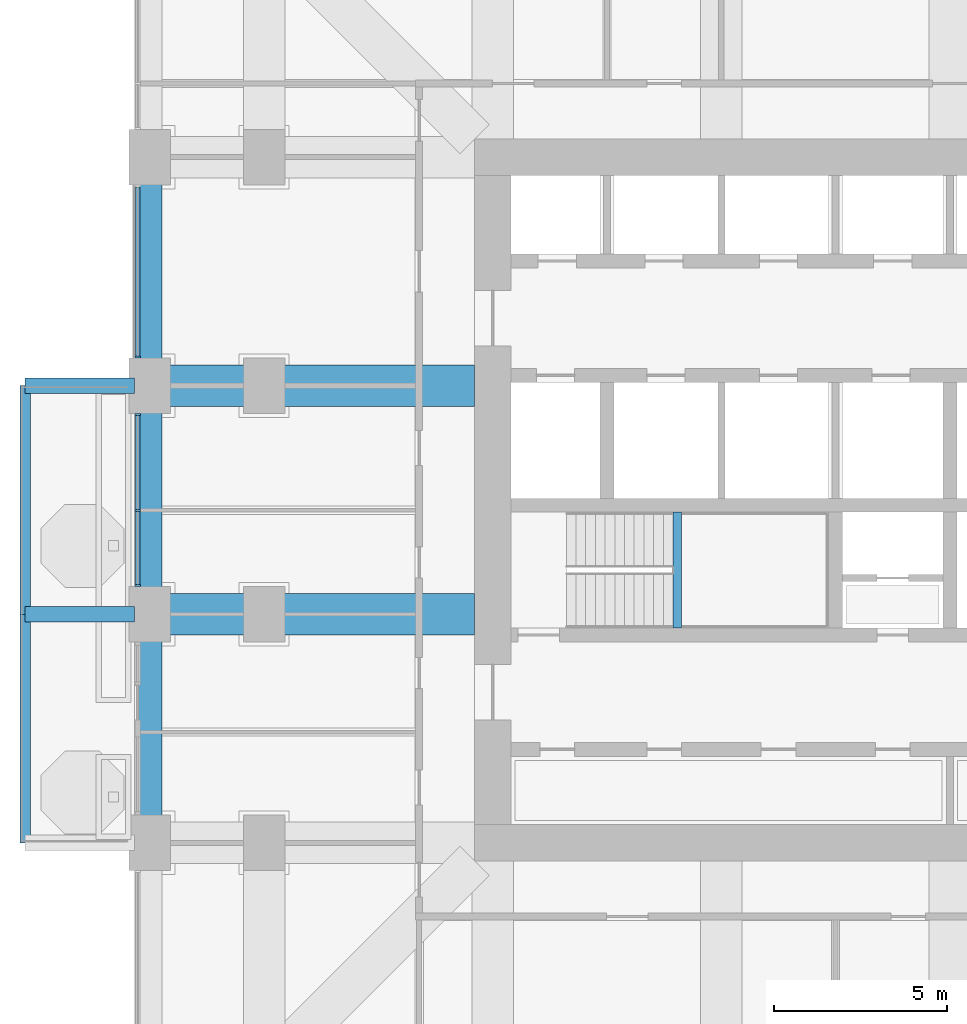
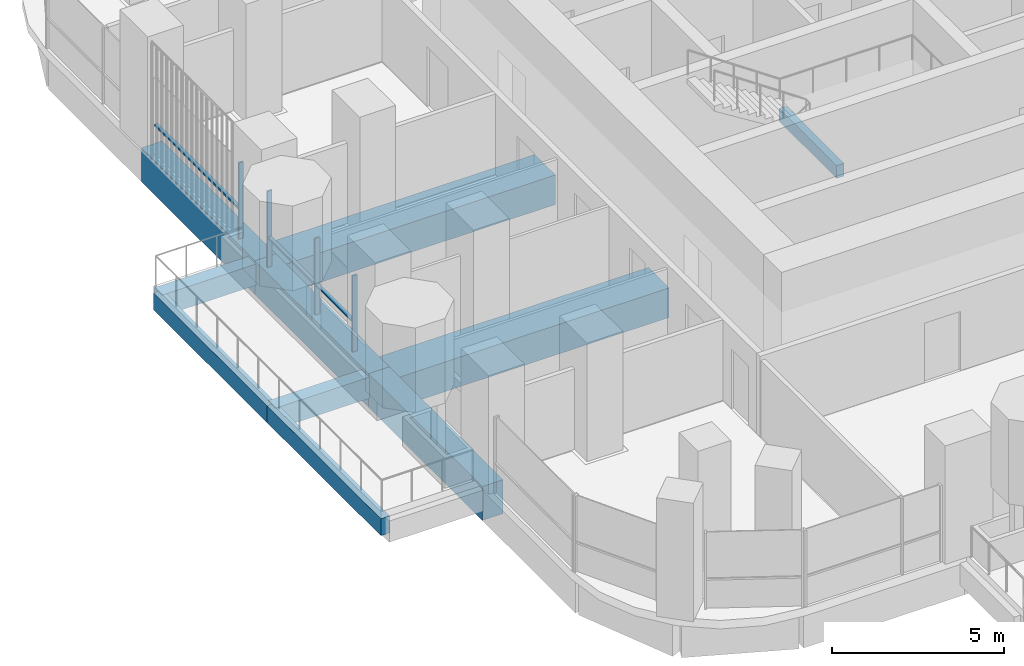
# One storey, part 4 of 20: 10 beams, 7 members, 2 elements without a shape of their own.
"""IFC4 building model written with IfcOpenShell, lengths in metres."""

from ifc_helpers import new_model, si_unit, direction, frame, origin, origin_2d, place, context, subcontext, project, spatial, rectangle, extrude, material, material_profile, profile_set, type_object, element, aggregate, save


model = new_model("IFC4")

# Units and contexts
model_context = context("Model", 3, precision=1e-05, world=origin(), true_north=direction((0.0, 1.0)))
body_context = subcontext(model_context, "Body", "Model", "MODEL_VIEW")
ifc_project = project(units=[si_unit("LENGTHUNIT", "METRE"), si_unit("AREAUNIT", "SQUARE_METRE"), si_unit("VOLUMEUNIT", "CUBIC_METRE"), si_unit("PLANEANGLEUNIT", "RADIAN"), si_unit("MASSUNIT", "GRAM", prefix="KILO")], contexts=[model_context])

# Site, building, storey
site_placement = place(None, origin())
site = spatial("IfcSite", under=ifc_project, at=site_placement, CompositionType="ELEMENT")
building_placement = place(site_placement, origin())
building = spatial("IfcBuilding", under=site, at=building_placement, Name="Cobogo Forest Laboratory Tower", CompositionType="ELEMENT")
storey_placement = place(building_placement, frame((0.0, 0.0, 193.5)))
storey = spatial("IfcBuildingStorey", under=building, at=storey_placement, Name="L44", CompositionType="ELEMENT", Elevation=193.5)

# Beams
ifc_material_1 = material(Name="Concrete HA-40 (C40/50)", Category="concrete")
ifc_material_profile_1 = material_profile(ifc_material_1, rectangle(XDim=0.449951171875, YDim=0.75, at=origin_2d()), Name="RC 450x750")
ifc_profile_set_1 = profile_set([ifc_material_profile_1], Name="Concrete HA-40 (C40/50)")
beam_type_1 = type_object("IfcBeamType", Name="Balcony cantilever beam 450x750", PredefinedType="BEAM", material=ifc_profile_set_1)
for number, where, z_axis, x_axis, name in (
    (1, (2.85009765625, 19.800048828125, -0.625), (-1.0, 0.0, 0.0), (0.0, -1.0, 0.0), "CB1 BAL-W1-C2 L44"),
    (2, (2.85009765625, 26.39990234375, -0.625), (-1.0, 0.0, 0.0), (0.0, -1.0, 0.0), "CB1 BAL-W1-C3 L44"),
):
    element("IfcBeam", number, at=place(storey_placement, frame(where, z_axis=z_axis, x_axis=x_axis)), inside=storey, type_object=beam_type_1, Name=name, PredefinedType="BEAM", context=body_context, shape_type="SweptSolid", body=[
        extrude(rectangle(XDim=0.449951171875, YDim=0.75, at=origin_2d()), origin(), (0.0, 0.0, 1.0), 3.150146484375),
    ])
ifc_material_profile_2 = material_profile(ifc_material_1, rectangle(XDim=0.300048828125, YDim=0.60009765625, at=origin_2d()), Name="RC 300x600")
ifc_profile_set_2 = profile_set([ifc_material_profile_2], Name="Concrete HA-40 (C40/50)")
beam_type_2 = type_object("IfcBeamType", Name="Balcony edge beam 300x600", PredefinedType="BEAM", material=ifc_profile_set_2)
beam_1_placement = place(storey_placement, frame((-0.300048828125, 13.199951171875, -0.550048828125), z_axis=(0.0, 1.0, 0.0), x_axis=(-1.0, 0.0, 0.0)))
element("IfcBeam", 3, at=beam_1_placement, inside=storey, type_object=beam_type_2, Name="BB1 BAL-W1-T1 L44", PredefinedType="BEAM", context=body_context, shape_type="SweptSolid", body=[
    extrude(rectangle(XDim=0.300048828125, YDim=0.60009765625, at=origin_2d()), origin(), (0.0, 0.0, 1.0), 6.60009765625),
])
beam_2_placement = place(storey_placement, frame((-0.300048828125, 19.800048828125, -0.550048828125), z_axis=(0.0, 1.0, 0.0), x_axis=(-1.0, 0.0, 0.0)))
element("IfcBeam", 4, at=beam_2_placement, inside=storey, type_object=beam_type_2, Name="BB1 BAL-W1-T2 L44", PredefinedType="BEAM", context=body_context, shape_type="SweptSolid", body=[
    extrude(rectangle(XDim=0.300048828125, YDim=0.60009765625, at=origin_2d()), origin(), (0.0, 0.0, 1.0), 6.599853515625),
])
ifc_material_profile_3 = material_profile(ifc_material_1, rectangle(XDim=0.25, YDim=0.449951171875, at=origin_2d()), Name="RC 250x450")
ifc_profile_set_3 = profile_set([ifc_material_profile_3], Name="Concrete HA-40 (C40/50)")
beam_type_3 = type_object("IfcBeamType", Name="LB1 landing beam 250x450", PredefinedType="BEAM", material=ifc_profile_set_3)
beam_3_placement = place(storey_placement, frame((18.530029296875, 19.39990234375, 1.675048828125), z_axis=(0.0, 1.0, 0.0), x_axis=(-1.0, 0.0, 0.0)))
element("IfcBeam", 5, at=beam_3_placement, inside=storey, type_object=beam_type_3, Name="Landing beam ST1 L44", PredefinedType="BEAM", context=body_context, shape_type="SweptSolid", body=[
    extrude(rectangle(XDim=0.25, YDim=0.449951171875, at=origin_2d()), origin(), (0.0, 0.0, 1.0), 3.35009765625),
])
ifc_material_profile_4 = material_profile(ifc_material_1, rectangle(XDim=1.199951171875, YDim=1.050048828125, at=origin_2d()), Name="RC 1200x1050")
ifc_profile_set_4 = profile_set([ifc_material_profile_4], Name="Concrete HA-40 (C40/50)")
beam_type_4 = type_object("IfcBeamType", Name="Laboratory floor wide beam 1200x1050", PredefinedType="BEAM", material=ifc_profile_set_4)
for number, where, z_axis, x_axis, name in (
    (6, (12.675048828125, 19.800048828125, -0.824951171875), (-1.0, 0.0, 0.0), (0.0, -1.0, 0.0), "RB1 R-D-W L44"),
    (7, (12.675048828125, 26.39990234375, -0.824951171875), (-1.0, 0.0, 0.0), (0.0, -1.0, 0.0), "RB1 R-E-W L44"),
):
    element("IfcBeam", number, at=place(storey_placement, frame(where, z_axis=z_axis, x_axis=x_axis)), inside=storey, type_object=beam_type_4, Name=name, PredefinedType="BEAM", context=body_context, shape_type="SweptSolid", body=[
        extrude(rectangle(XDim=1.199951171875, YDim=1.050048828125, at=origin_2d()), origin(), (0.0, 0.0, 1.0), 9.375),
    ])

# Curtain wall, member
ifc_material_2 = material(Name="Aluminium curtain wall", Category="aluminium")
curtain_wall_type = type_object("IfcCurtainWallType", Name="CW-2 unitised curtain wall, solar control glazing, laboratory floors zones C and D", PredefinedType="USERDEFINED", material=ifc_material_2)
curtain_wall_1_placement = place(storey_placement, origin())
curtain_wall_1 = element("IfcCurtainWall", 8, at=curtain_wall_1_placement, inside=storey, type_object=curtain_wall_type, Name="Curtain wall 25 L44", ObjectType="UNITISED CURTAIN WALL", PredefinedType="USERDEFINED")
ifc_material_3 = material(Name="Aluminium mullion", Category="aluminium")
ifc_material_profile_5 = material_profile(ifc_material_3, rectangle(XDim=0.06005859375, YDim=0.159912109375, at=origin_2d()), Name="AL 60x160")
ifc_profile_set_5 = profile_set([ifc_material_profile_5], Name="Aluminium mullion")
member_type_1 = type_object("IfcMemberType", Name="MU-1 aluminium mullion 60x160", PredefinedType="MULLION", material=ifc_profile_set_5)
member_1_placement = place(storey_placement, frame((2.949951171875, 27.22998046875, 0.0), z_axis=(0.0, 0.0, 1.0), x_axis=(0.0, -1.0, 0.0)))
member_1 = element("IfcMember", 9, at=member_1_placement, type_object=member_type_1, Name="CW-2 mullion 2", PredefinedType="MULLION", context=body_context, shape_type="SweptSolid", body=[
    extrude(rectangle(XDim=0.06005859375, YDim=0.159912109375, at=origin_2d()), origin(), (0.0, 0.0, 1.0), 2.699951171875),
])

# Curtain wall, members
curtain_wall_2_placement = place(storey_placement, origin())
curtain_wall_2 = element("IfcCurtainWall", 10, at=curtain_wall_2_placement, inside=storey, type_object=curtain_wall_type, Name="Curtain wall 26 L44", ObjectType="UNITISED CURTAIN WALL", PredefinedType="USERDEFINED")
member_2_placement = place(storey_placement, frame((2.949951171875, 25.570068359375, 0.0), z_axis=(0.0, 0.0, 1.0), x_axis=(0.0, -1.0, 0.0)))
member_2 = element("IfcMember", 11, at=member_2_placement, type_object=member_type_1, Name="CW-2 mullion 1", PredefinedType="MULLION", context=body_context, shape_type="SweptSolid", body=[
    extrude(rectangle(XDim=0.06005859375, YDim=0.159912109375, at=origin_2d()), origin(), (0.0, 0.0, 1.0), 2.699951171875),
])
member_3_placement = place(storey_placement, frame((2.949951171875, 22.800048828125, 0.0), z_axis=(0.0, 0.0, 1.0), x_axis=(0.0, -1.0, 0.0)))
member_3 = element("IfcMember", 12, at=member_3_placement, type_object=member_type_1, Name="CW-2 mullion 2", PredefinedType="MULLION", context=body_context, shape_type="SweptSolid", body=[
    extrude(rectangle(XDim=0.06005859375, YDim=0.159912109375, at=origin_2d()), origin(), (0.0, 0.0, 1.0), 2.699951171875),
])
member_4_placement = place(storey_placement, frame((2.949951171875, 20.6298828125, 0.0), z_axis=(0.0, 0.0, 1.0), x_axis=(0.0, -1.0, 0.0)))
member_4 = element("IfcMember", 13, at=member_4_placement, type_object=member_type_1, Name="CW-2 mullion 3", PredefinedType="MULLION", context=body_context, shape_type="SweptSolid", body=[
    extrude(rectangle(XDim=0.06005859375, YDim=0.159912109375, at=origin_2d()), origin(), (0.0, 0.0, 1.0), 2.699951171875),
])

# Beams
ifc_material_profile_6 = material_profile(ifc_material_1, rectangle(XDim=0.699951171875, YDim=1.199951171875, at=origin_2d()), Name="RC 700x1200")
ifc_profile_set_6 = profile_set([ifc_material_profile_6], Name="Concrete HA-40 (C40/50)")
beam_type_5 = type_object("IfcBeamType", Name="Perimeter edge beam 700x1200", PredefinedType="BEAM", material=ifc_profile_set_6)
beam_4_placement = place(storey_placement, frame((3.300048828125, 13.199951171875, -0.89990234375), z_axis=(0.0, 1.0, 0.0), x_axis=(-1.0, 0.0, 0.0)))
element("IfcBeam", 14, at=beam_4_placement, inside=storey, type_object=beam_type_5, Name="EB1 E-W1 L44", PredefinedType="BEAM", context=body_context, shape_type="SweptSolid", body=[
    extrude(rectangle(XDim=0.699951171875, YDim=1.199951171875, at=origin_2d()), origin(), (0.0, 0.0, 1.0), 6.60009765625),
])
beam_5_placement = place(storey_placement, frame((3.300048828125, 19.800048828125, -0.89990234375), z_axis=(0.0, 1.0, 0.0), x_axis=(-1.0, 0.0, 0.0)))
element("IfcBeam", 15, at=beam_5_placement, inside=storey, type_object=beam_type_5, Name="EB1 E-W2 L44", PredefinedType="BEAM", context=body_context, shape_type="SweptSolid", body=[
    extrude(rectangle(XDim=0.699951171875, YDim=1.199951171875, at=origin_2d()), origin(), (0.0, 0.0, 1.0), 6.599853515625),
])
beam_6_placement = place(storey_placement, frame((3.300048828125, 26.39990234375, -0.89990234375), z_axis=(0.0, 1.0, 0.0), x_axis=(-1.0, 0.0, 0.0)))
element("IfcBeam", 16, at=beam_6_placement, inside=storey, type_object=beam_type_5, Name="EB1 E-W3 L44", PredefinedType="BEAM", context=body_context, shape_type="SweptSolid", body=[
    extrude(rectangle(XDim=0.699951171875, YDim=1.199951171875, at=origin_2d()), origin(), (0.0, 0.0, 1.0), 6.60009765625),
])

# Member
ifc_material_4 = material(Name="Aluminium transom", Category="aluminium")
ifc_material_profile_7 = material_profile(ifc_material_4, rectangle(XDim=0.1201171875, YDim=0.06005859375, at=origin_2d()), Name="AL 60x120")
ifc_profile_set_7 = profile_set([ifc_material_profile_7], Name="Aluminium transom")
member_type_2 = type_object("IfcMemberType", Name="TR-1 aluminium transom 60x120", PredefinedType="USERDEFINED", material=ifc_profile_set_7)
member_5_placement = place(storey_placement, frame((2.949951171875, 32.139892578125, 1.050048828125), z_axis=(0.0, -1.0, 0.0), x_axis=(1.0, 0.0, 0.0)))
member_5 = element("IfcMember", 17, at=member_5_placement, type_object=member_type_2, Name="CW-2 transom 1.1", ObjectType="TRANSOM", PredefinedType="USERDEFINED", context=body_context, shape_type="SweptSolid", body=[
    extrude(rectangle(XDim=0.1201171875, YDim=0.06005859375, at=origin_2d()), origin(), (0.0, 0.0, 1.0), 4.8798828125),
])

aggregate(curtain_wall_1, [member_1, member_5])

member_6_placement = place(storey_placement, frame((2.949951171875, 25.5400390625, 1.050048828125), z_axis=(0.0, -1.0, 0.0), x_axis=(1.0, 0.0, 0.0)))
member_6 = element("IfcMember", 18, at=member_6_placement, type_object=member_type_2, Name="CW-2 transom 1.1", ObjectType="TRANSOM", PredefinedType="USERDEFINED", context=body_context, shape_type="SweptSolid", body=[
    extrude(rectangle(XDim=0.1201171875, YDim=0.06005859375, at=origin_2d()), origin(), (0.0, 0.0, 1.0), 2.7099609375),
])

member_7_placement = place(storey_placement, frame((2.949951171875, 22.77001953125, 1.050048828125), z_axis=(0.0, -1.0, 0.0), x_axis=(1.0, 0.0, 0.0)))
member_7 = element("IfcMember", 19, at=member_7_placement, type_object=member_type_2, Name="CW-2 transom 2.1", ObjectType="TRANSOM", PredefinedType="USERDEFINED", context=body_context, shape_type="SweptSolid", body=[
    extrude(rectangle(XDim=0.1201171875, YDim=0.06005859375, at=origin_2d()), origin(), (0.0, 0.0, 1.0), 2.110107421875),
])

aggregate(curtain_wall_2, [member_2, member_3, member_4, member_6, member_7])

save(model, "model.ifc")
